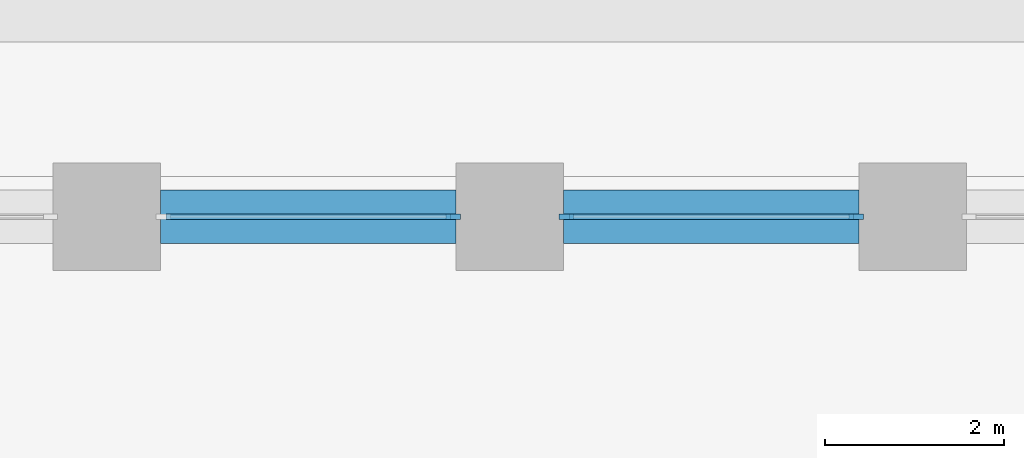
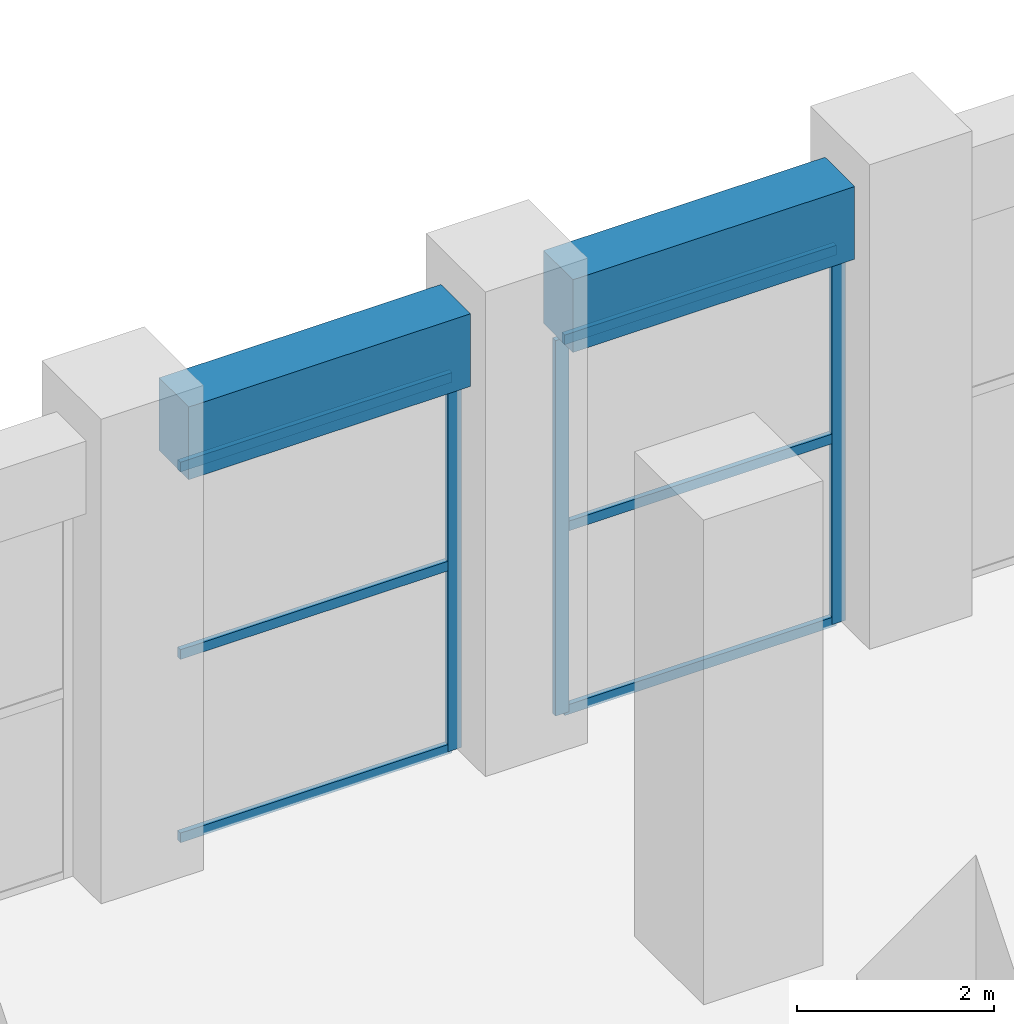
# One storey, part 7 of 24: 9 members, 2 beams, 2 elements without a shape of their own.
"""IFC4 building model written with IfcOpenShell, lengths in metres."""

from ifc_helpers import new_model, si_unit, direction, frame, origin, origin_2d, place, context, subcontext, project, spatial, rectangle, extrude, material, material_profile, profile_set, type_object, element, aggregate, save


model = new_model("IFC4")

# Units and contexts
model_context = context("Model", 3, precision=1e-05, world=origin(), true_north=direction((0.0, 1.0)))
body_context = subcontext(model_context, "Body", "Model", "MODEL_VIEW")
ifc_project = project(units=[si_unit("LENGTHUNIT", "METRE"), si_unit("AREAUNIT", "SQUARE_METRE"), si_unit("VOLUMEUNIT", "CUBIC_METRE"), si_unit("PLANEANGLEUNIT", "RADIAN"), si_unit("MASSUNIT", "GRAM", prefix="KILO")], contexts=[model_context])

# Site, building, storey
site_placement = place(None, origin())
site = spatial("IfcSite", under=ifc_project, at=site_placement, CompositionType="ELEMENT")
building_placement = place(site_placement, origin())
building = spatial("IfcBuilding", under=site, at=building_placement, Name="Corbel Stack Research Tower", CompositionType="ELEMENT")
storey_placement = place(building_placement, frame((0.0, 0.0, 110.699951171875)))
storey = spatial("IfcBuildingStorey", under=building, at=storey_placement, Name="L25", CompositionType="ELEMENT", Elevation=110.699951171875)

# Curtain wall, members
ifc_material_1 = material(Name="Aluminium frame, clear glass", Category="aluminium")
curtain_wall_type = type_object("IfcCurtainWallType", Name="Amenity floor curtain wall CW2", PredefinedType="NOTDEFINED", material=ifc_material_1)
curtain_wall_1_placement = place(storey_placement, origin())
curtain_wall_1 = element("IfcCurtainWall", 1, at=curtain_wall_1_placement, inside=storey, type_object=curtain_wall_type, Name="Curtain wall CW2 L25 N06", PredefinedType="NOTDEFINED")
ifc_material_2 = material(Name="Aluminium mullion", Category="aluminium")
ifc_material_profile_1 = material_profile(ifc_material_2, rectangle(XDim=0.06005859375, YDim=0.159912109375, at=origin_2d()), Name="Mullion 60 x 160")
ifc_profile_set_1 = profile_set([ifc_material_profile_1], Name="Aluminium mullion")
member_type_1 = type_object("IfcMemberType", Name="Curtain wall mullion 60 x 160", PredefinedType="MULLION", material=ifc_profile_set_1)
member_1_placement = place(storey_placement, frame((3.8701171875, 31.5, 0.0), z_axis=(0.0, 0.0, 1.0), x_axis=(0.0, -1.0, 0.0)))
member_1 = element("IfcMember", 2, at=member_1_placement, type_object=member_type_1, Name="CW2 L25 N06 mullion 1", PredefinedType="MULLION", context=body_context, shape_type="SweptSolid", body=[
    extrude(rectangle(XDim=0.06005859375, YDim=0.159912109375, at=origin_2d()), origin(), (0.0, 0.0, 1.0), 4.650146484375),
])
member_2_placement = place(storey_placement, frame((0.6298828125, 31.5, 0.0), z_axis=(0.0, 0.0, 1.0), x_axis=(0.0, -1.0, 0.0)))
member_2 = element("IfcMember", 3, at=member_2_placement, type_object=member_type_1, Name="CW2 L25 N06 mullion 2", PredefinedType="MULLION", context=body_context, shape_type="SweptSolid", body=[
    extrude(rectangle(XDim=0.06005859375, YDim=0.159912109375, at=origin_2d()), origin(), (0.0, 0.0, 1.0), 4.650146484375),
])

# Curtain wall, member
curtain_wall_2_placement = place(storey_placement, origin())
curtain_wall_2 = element("IfcCurtainWall", 4, at=curtain_wall_2_placement, inside=storey, type_object=curtain_wall_type, Name="Curtain wall CW2 L25 N07", PredefinedType="NOTDEFINED")
member_3_placement = place(storey_placement, frame((-0.6298828125, 31.5, 0.0), z_axis=(0.0, 0.0, 1.0), x_axis=(0.0, -1.0, 0.0)))
member_3 = element("IfcMember", 5, at=member_3_placement, type_object=member_type_1, Name="CW2 L25 N07 mullion 1", PredefinedType="MULLION", context=body_context, shape_type="SweptSolid", body=[
    extrude(rectangle(XDim=0.06005859375, YDim=0.159912109375, at=origin_2d()), origin(), (0.0, 0.0, 1.0), 4.650146484375),
])

# Member
ifc_material_3 = material(Name="Aluminium transom", Category="aluminium")
ifc_material_profile_2 = material_profile(ifc_material_3, rectangle(XDim=0.06005859375, YDim=0.1201171875, at=origin_2d()), Name="Transom 60 x 120")
ifc_profile_set_2 = profile_set([ifc_material_profile_2], Name="Aluminium transom")
member_type_2 = type_object("IfcMemberType", Name="Curtain wall transom 60 x 120", PredefinedType="USERDEFINED", material=ifc_profile_set_2)
member_4_placement = place(storey_placement, frame((3.840087890625, 31.5, 0.030029296875), z_axis=(-1.0, 0.0, 0.0), x_axis=(0.0, -1.0, 0.0)))
member_4 = element("IfcMember", 6, at=member_4_placement, type_object=member_type_2, Name="CW2 L25 N06 transom 1.1", ObjectType="TRANSOM", PredefinedType="USERDEFINED", context=body_context, shape_type="SweptSolid", body=[
    extrude(rectangle(XDim=0.06005859375, YDim=0.1201171875, at=origin_2d()), origin(), (0.0, 0.0, 1.0), 3.18017578125),
])

member_5_placement = place(storey_placement, frame((3.840087890625, 31.5, 2.300048828125), z_axis=(-1.0, 0.0, 0.0), x_axis=(0.0, -1.0, 0.0)))
member_5 = element("IfcMember", 7, at=member_5_placement, type_object=member_type_2, Name="CW2 L25 N06 transom 1.2", ObjectType="TRANSOM", PredefinedType="USERDEFINED", context=body_context, shape_type="SweptSolid", body=[
    extrude(rectangle(XDim=0.06005859375, YDim=0.1201171875, at=origin_2d()), origin(), (0.0, 0.0, 1.0), 3.18017578125),
])

member_6_placement = place(storey_placement, frame((3.840087890625, 31.5, 4.6201171875), z_axis=(-1.0, 0.0, 0.0), x_axis=(0.0, -1.0, 0.0)))
member_6 = element("IfcMember", 8, at=member_6_placement, type_object=member_type_2, Name="CW2 L25 N06 transom 1.3", ObjectType="TRANSOM", PredefinedType="USERDEFINED", context=body_context, shape_type="SweptSolid", body=[
    extrude(rectangle(XDim=0.06005859375, YDim=0.1201171875, at=origin_2d()), origin(), (0.0, 0.0, 1.0), 3.18017578125),
])

aggregate(curtain_wall_1, [member_1, member_2, member_4, member_5, member_6])

member_7_placement = place(storey_placement, frame((-0.659912109375, 31.5, 0.030029296875), z_axis=(-1.0, 0.0, 0.0), x_axis=(0.0, -1.0, 0.0)))
member_7 = element("IfcMember", 9, at=member_7_placement, type_object=member_type_2, Name="CW2 L25 N07 transom 1.1", ObjectType="TRANSOM", PredefinedType="USERDEFINED", context=body_context, shape_type="SweptSolid", body=[
    extrude(rectangle(XDim=0.06005859375, YDim=0.1201171875, at=origin_2d()), origin(), (0.0, 0.0, 1.0), 3.18017578125),
])

member_8_placement = place(storey_placement, frame((-0.659912109375, 31.5, 2.300048828125), z_axis=(-1.0, 0.0, 0.0), x_axis=(0.0, -1.0, 0.0)))
member_8 = element("IfcMember", 10, at=member_8_placement, type_object=member_type_2, Name="CW2 L25 N07 transom 1.2", ObjectType="TRANSOM", PredefinedType="USERDEFINED", context=body_context, shape_type="SweptSolid", body=[
    extrude(rectangle(XDim=0.06005859375, YDim=0.1201171875, at=origin_2d()), origin(), (0.0, 0.0, 1.0), 3.18017578125),
])

member_9_placement = place(storey_placement, frame((-0.659912109375, 31.5, 4.6201171875), z_axis=(-1.0, 0.0, 0.0), x_axis=(0.0, -1.0, 0.0)))
member_9 = element("IfcMember", 11, at=member_9_placement, type_object=member_type_2, Name="CW2 L25 N07 transom 1.3", ObjectType="TRANSOM", PredefinedType="USERDEFINED", context=body_context, shape_type="SweptSolid", body=[
    extrude(rectangle(XDim=0.06005859375, YDim=0.1201171875, at=origin_2d()), origin(), (0.0, 0.0, 1.0), 3.18017578125),
])

aggregate(curtain_wall_2, [member_3, member_7, member_8, member_9])

# Beams
ifc_material_4 = material(Name="Concrete C60/75", Category="concrete")
ifc_material_profile_3 = material_profile(ifc_material_4, rectangle(XDim=0.60009765625, YDim=0.89990234375, at=origin_2d()), Name="RC 600 x 900")
ifc_profile_set_3 = profile_set([ifc_material_profile_3], Name="Concrete C60/75")
beam_type = type_object("IfcBeamType", Name="SB-600-900-450", PredefinedType="SPANDREL", material=ifc_profile_set_3)
for number, where, z_axis, x_axis, name in (
    (12, (3.89990234375, 31.5, 5.10009765625), (-1.0, 0.0, 0.0), (0.0, -1.0, 0.0), "Spandrel beam L25-28"),
    (13, (-0.60009765625, 31.5, 5.10009765625), (-1.0, 0.0, 0.0), (0.0, -1.0, 0.0), "Spandrel beam L25-29"),
):
    element("IfcBeam", number, at=place(storey_placement, frame(where, z_axis=z_axis, x_axis=x_axis)), inside=storey, type_object=beam_type, Name=name, PredefinedType="SPANDREL", context=body_context, shape_type="SweptSolid", body=[
        extrude(rectangle(XDim=0.60009765625, YDim=0.89990234375, at=origin_2d()), origin(), (0.0, 0.0, 1.0), 3.2998046875),
    ])

save(model, "model.ifc")
